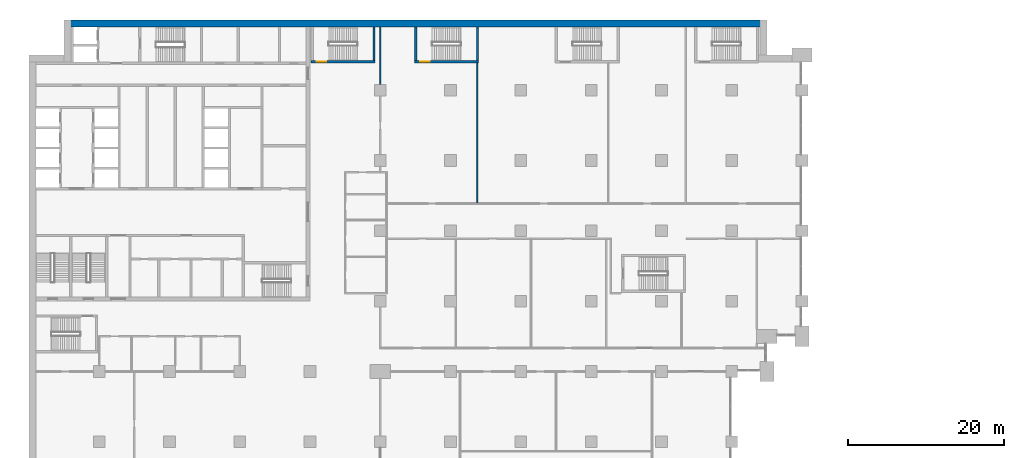
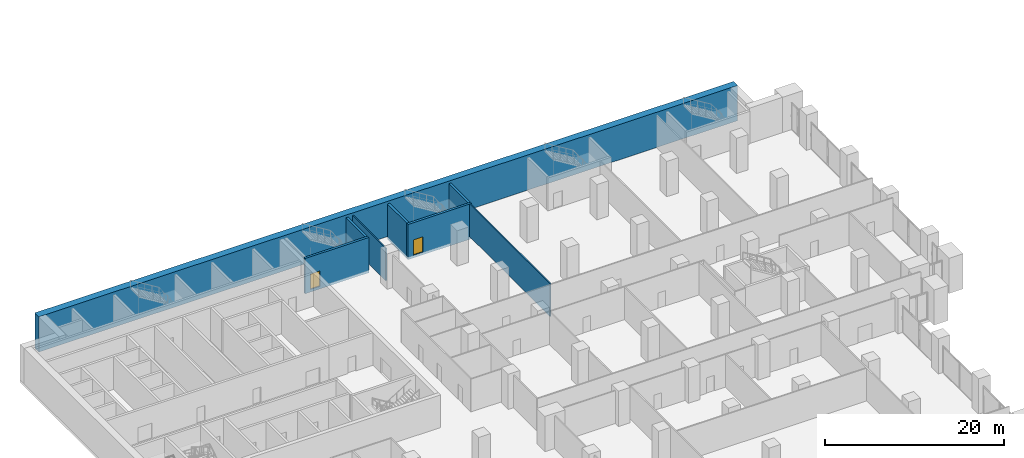
# One storey, part 17 of 31: 8 walls, 2 doors, 2 openings.
"""IFC4 building model written with IfcOpenShell, lengths in metres."""

from ifc_helpers import new_model, si_unit, direction, frame, frame_2d, origin, place, context, subcontext, project, spatial, rectangle, extrude, material, layer, layer_set, type_object, element, fill, save


model = new_model("IFC4")

# Units and contexts
model_context = context("Model", 3, precision=1e-05, world=origin(), true_north=direction((0.0, 1.0)))
body_context = subcontext(model_context, "Body", "Model", "MODEL_VIEW")
ifc_project = project(units=[si_unit("LENGTHUNIT", "METRE"), si_unit("AREAUNIT", "SQUARE_METRE"), si_unit("VOLUMEUNIT", "CUBIC_METRE"), si_unit("PLANEANGLEUNIT", "RADIAN"), si_unit("MASSUNIT", "GRAM", prefix="KILO")], contexts=[model_context])

# Site, building, storey
site_placement = place(None, origin())
site = spatial("IfcSite", under=ifc_project, at=site_placement, CompositionType="ELEMENT")
building_placement = place(site_placement, origin())
building = spatial("IfcBuilding", under=site, at=building_placement, Name="Hunhe Ridgeline Campus", CompositionType="ELEMENT")
storey_placement = place(building_placement, frame((0.0, 0.0, 16.800048828125)))
storey = spatial("IfcBuildingStorey", under=building, at=storey_placement, Name="L03", CompositionType="ELEMENT", Elevation=16.800048828125)

# Walls
ifc_material_1 = material(Name="Plastered blockwork", Category="masonry")
ifc_layer_1 = layer(ifc_material_1, 0.14990234375)
ifc_layer_set_1 = layer_set([ifc_layer_1], Name="Blockwork partition 150")
wall_type_1 = type_object("IfcWallType", Name="Blockwork partition 150", PredefinedType="PARTITIONING", material=ifc_layer_set_1)
wall_1_placement = place(storey_placement, frame((45.0, 90.75, 0.0), z_axis=(0.0, 0.0, 1.0), x_axis=(0.0, 1.0, 0.0)))
element("IfcWall", 1, at=wall_1_placement, inside=storey, type_object=wall_type_1, Name="L03 partition", PredefinedType="PARTITIONING", context=body_context, shape_type="SweptSolid", body=[
    extrude(rectangle(XDim=7.35009765625, YDim=0.14990234375, at=frame_2d((3.675048828125, 0.0))), origin(), (0.0, 0.0, 1.0), 4.449951171875),
])
wall_2_placement = place(storey_placement, frame((57.4140625, 75.574951171875, 0.0), z_axis=(0.0, 0.0, 1.0), x_axis=(0.0, 1.0, 0.0)))
element("IfcWall", 2, at=wall_2_placement, inside=storey, type_object=wall_type_1, Name="L03 partition", PredefinedType="PARTITIONING", context=body_context, shape_type="SweptSolid", body=[
    extrude(rectangle(XDim=17.925048828125, YDim=0.14990234375, at=frame_2d((8.96240234375, 0.0))), origin(), (0.0, 0.0, 1.0), 4.449951171875),
])
ifc_material_2 = material(Name="Concrete C80", Category="concrete")
ifc_layer_2 = layer(ifc_material_2, 0.89990234375)
ifc_layer_set_2 = layer_set([ifc_layer_2], Name="Spine wall 900 Concrete C80")
wall_type_2 = type_object("IfcWallType", Name="Spine wall 900 Concrete C80", PredefinedType="SHEAR", material=ifc_layer_set_2)
wall_3_placement = place(storey_placement, frame((94.5, 98.550048828125, 0.0), z_axis=(0.0, 0.0, 1.0), x_axis=(-1.0, 0.0, 0.0)))
element("IfcWall", 3, at=wall_3_placement, inside=storey, type_object=wall_type_2, Name="Spine wall SW1-4 L03", PredefinedType="SHEAR", context=body_context, shape_type="SweptSolid", body=[
    extrude(rectangle(XDim=90.0, YDim=0.89990234375, at=frame_2d((45.0, 0.0))), origin(), (0.0, 0.0, 1.0), 4.800048828125),
])

# Wall, opening, door
ifc_layer_3 = layer(ifc_material_2, 0.300048828125)
ifc_layer_set_3 = layer_set([ifc_layer_3], Name="Stair wall 300 reinforced concrete C80")
wall_type_3 = type_object("IfcWallType", Name="Stair wall 300 reinforced concrete C80", PredefinedType="SOLIDWALL", material=ifc_layer_set_3)
wall_4_placement = place(storey_placement, frame((36.14990234375, 93.64990234375, -0.35009765625), z_axis=(0.0, 0.0, 1.0), x_axis=(1.0, 0.0, 0.0)))
wall_4 = element("IfcWall", 4, at=wall_4_placement, inside=storey, type_object=wall_type_3, Name="L03 core wall 30", PredefinedType="SOLIDWALL", context=body_context, shape_type="SweptSolid", body=[
    extrude(rectangle(XDim=8.2001953125, YDim=0.300048828125, at=frame_2d((4.10009765625, 0.0))), origin(), (0.0, 0.0, 1.0), 4.800048828125),
])
opening_1_placement = place(wall_4_placement, frame((0.699951171875, 0.0, 0.35009765625)))
opening_1 = element("IfcOpeningElement", 5, at=opening_1_placement, cuts=wall_4, Name="Opening CD17", PredefinedType="OPENING", context=body_context, shape_type="SweptSolid", body=[
    extrude(rectangle(XDim=1.199951171875, YDim=2.10009765625, at=frame_2d((0.60009765625, 1.050048828125))), frame((0.0, 0.14990234375, 0.0), z_axis=(0.0, -1.0, 0.0), x_axis=(1.0, 0.0, 0.0)), (0.0, 0.0, 1.0), 0.300048828125),
])
ifc_material_3 = material(Name="Hollow metal fire door leaf")
door_type = type_object("IfcDoorType", Name="Stair door 1200x2100 FD60", OperationType="SINGLE_SWING_LEFT", PredefinedType="DOOR", material=ifc_material_3)
door_1_placement = place(opening_1_placement, frame((1.199951171875, 0.0, 0.0), z_axis=(0.0, 0.0, 1.0), x_axis=(-1.0, 0.0, 0.0)))
door_1 = element("IfcDoor", 6, at=door_1_placement, inside=storey, type_object=door_type, Name="L03 door E1", OperationType="SINGLE_SWING_RIGHT", OverallHeight=2.10009765625, OverallWidth=1.199951171875, PredefinedType="DOOR", context=body_context, shape_type="SweptSolid", body=[
    extrude(rectangle(XDim=1.199951171875, YDim=2.10009765625, at=frame_2d((0.60009765625, 1.050048828125))), frame((0.0, 0.02490234375, 0.0), z_axis=(0.0, -1.0, 0.0), x_axis=(1.0, 0.0, 0.0)), (0.0, 0.0, 1.0), 0.050048828125),
])
fill(opening_1, door_1)

wall_5_placement = place(storey_placement, frame((49.39990234375, 93.64990234375, -0.35009765625), z_axis=(0.0, 0.0, 1.0), x_axis=(1.0, 0.0, 0.0)))
wall_5 = element("IfcWall", 7, at=wall_5_placement, inside=storey, type_object=wall_type_3, Name="L03 core wall 31", PredefinedType="SOLIDWALL", context=body_context, shape_type="SweptSolid", body=[
    extrude(rectangle(XDim=8.2001953125, YDim=0.300048828125, at=frame_2d((4.10009765625, 0.0))), origin(), (0.0, 0.0, 1.0), 4.800048828125),
])
opening_2_placement = place(wall_5_placement, frame((0.699951171875, 0.0, 0.35009765625)))
opening_2 = element("IfcOpeningElement", 8, at=opening_2_placement, cuts=wall_5, Name="Opening CD18", PredefinedType="OPENING", context=body_context, shape_type="SweptSolid", body=[
    extrude(rectangle(XDim=1.199951171875, YDim=2.10009765625, at=frame_2d((0.60009765625, 1.050048828125))), frame((0.0, 0.14990234375, 0.0), z_axis=(0.0, -1.0, 0.0), x_axis=(1.0, 0.0, 0.0)), (0.0, 0.0, 1.0), 0.300048828125),
])
door_2_placement = place(opening_2_placement, frame((1.199951171875, 0.0, 0.0), z_axis=(0.0, 0.0, 1.0), x_axis=(-1.0, 0.0, 0.0)))
door_2 = element("IfcDoor", 9, at=door_2_placement, inside=storey, type_object=door_type, Name="L03 door E2", OperationType="SINGLE_SWING_LEFT", OverallHeight=2.10009765625, OverallWidth=1.199951171875, PredefinedType="DOOR", context=body_context, shape_type="SweptSolid", body=[
    extrude(rectangle(XDim=1.199951171875, YDim=2.10009765625, at=frame_2d((0.60009765625, 1.050048828125))), frame((0.0, 0.02490234375, 0.0), z_axis=(0.0, -1.0, 0.0), x_axis=(1.0, 0.0, 0.0)), (0.0, 0.0, 1.0), 0.050048828125),
])
fill(opening_2, door_2)

# Walls
for number, where, z_axis, x_axis, name in (
    (10, (44.199951171875, 93.800048828125, -0.35009765625), (0.0, 0.0, 1.0), (0.0, 1.0, 0.0), "L03 core wall 66"),
    (11, (49.550048828125, 93.800048828125, -0.35009765625), (0.0, 0.0, 1.0), (0.0, 1.0, 0.0), "L03 core wall 67"),
    (12, (57.449951171875, 93.800048828125, -0.35009765625), (0.0, 0.0, 1.0), (0.0, 1.0, 0.0), "L03 core wall 68"),
):
    element("IfcWall", number, at=place(storey_placement, frame(where, z_axis=z_axis, x_axis=x_axis)), inside=storey, type_object=wall_type_3, Name=name, PredefinedType="SOLIDWALL", context=body_context, shape_type="SweptSolid", body=[
        extrude(rectangle(XDim=4.300048828125, YDim=0.300048828125, at=frame_2d((2.14990234375, 0.0))), origin(), (0.0, 0.0, 1.0), 4.800048828125),
    ])

save(model, "model.ifc")
